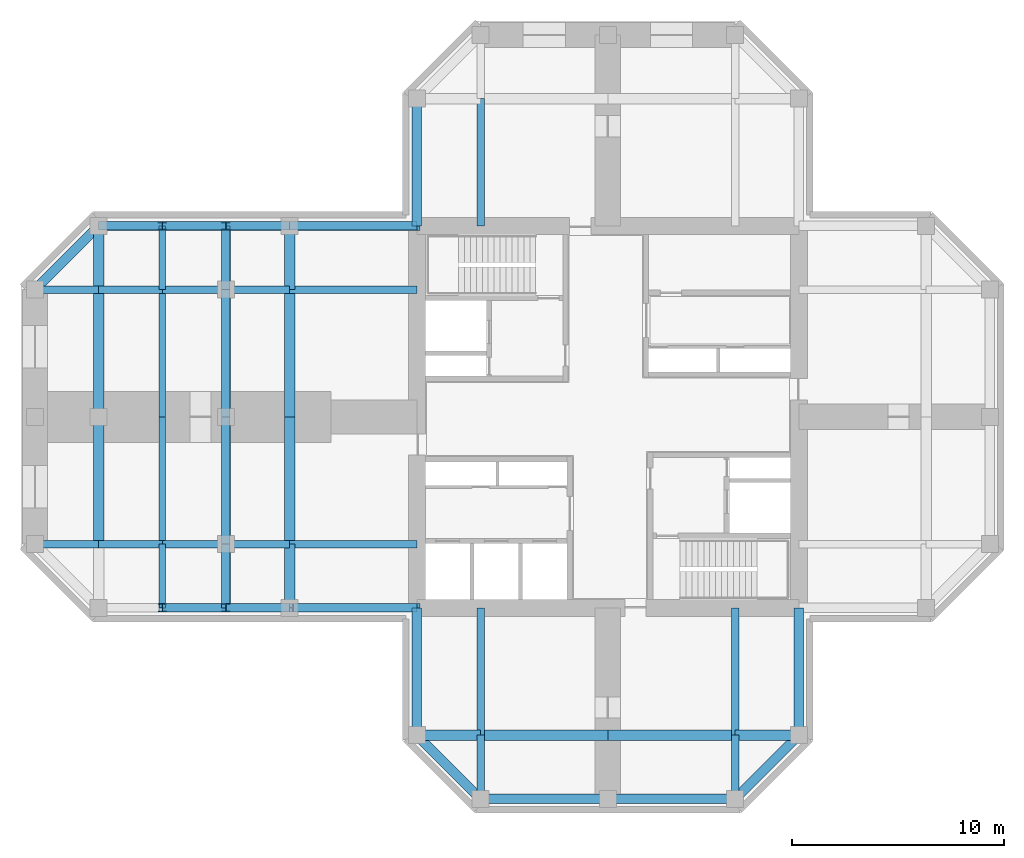
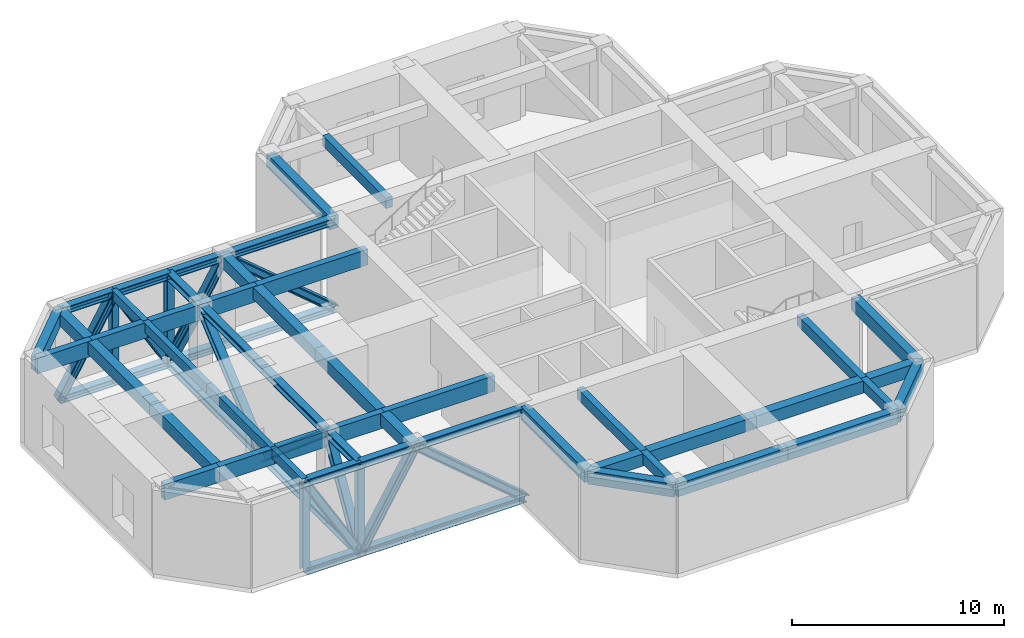
# One storey, part 2 of 6: 38 beams, 37 members.
"""IFC4 building model written with IfcOpenShell, lengths in metres."""

from ifc_helpers import new_model, si_unit, direction, frame, origin, origin_2d, place, context, subcontext, project, spatial, rectangle, i_section, extrude, material, material_profile, profile_set, type_object, element, save


model = new_model("IFC4")

# Units and contexts
model_context = context("Model", 3, precision=1e-05, world=origin(), true_north=direction((0.0, 1.0)))
body_context = subcontext(model_context, "Body", "Model", "MODEL_VIEW")
ifc_project = project(units=[si_unit("LENGTHUNIT", "METRE"), si_unit("AREAUNIT", "SQUARE_METRE"), si_unit("VOLUMEUNIT", "CUBIC_METRE"), si_unit("PLANEANGLEUNIT", "RADIAN"), si_unit("MASSUNIT", "GRAM", prefix="KILO")], contexts=[model_context])

# Site, building, storey
site_placement = place(None, origin())
site = spatial("IfcSite", under=ifc_project, at=site_placement, CompositionType="ELEMENT")
building_placement = place(site_placement, origin())
building = spatial("IfcBuilding", under=site, at=building_placement, Name="Torre Cruceta", CompositionType="ELEMENT")
storey_placement = place(building_placement, frame((0.0, 0.0, 252.699951171875)))
storey = spatial("IfcBuildingStorey", under=building, at=storey_placement, Name="L65", CompositionType="ELEMENT", Elevation=252.699951171875)

# Members
ifc_material_1 = material(Name="Steel A913 Gr65", Category="steel")
ifc_material_profile_1 = material_profile(ifc_material_1, i_section(OverallWidth=0.4013671875, OverallDepth=0.398681640625, WebThickness=0.02490234375, FlangeThickness=0.03955078125, at=origin_2d()), Name="W14X211")
ifc_profile_set_1 = profile_set([ifc_material_profile_1], Name="Steel A913 Gr65")
member_type_1 = type_object("IfcMemberType", Name="BELT TRUSS CHORD 4 W14X211", PredefinedType="CHORD", material=ifc_profile_set_1)
for number, where, z_axis, x_axis, name in (
    (1, (-9.0, 9.0, -0.449462890625), (-1.0, 0.0, 0.0), (0.0, -1.0, 0.0), "Belt truss 4 S-B1"),
    (2, (-9.0, 9.0, 4.62060546875), (-1.0, 0.0, 0.0), (0.0, -1.0, 0.0), "Belt truss 4 S-T1"),
):
    element("IfcMember", number, at=place(storey_placement, frame(where, z_axis=z_axis, x_axis=x_axis)), inside=storey, type_object=member_type_1, Name=name, PredefinedType="CHORD", context=body_context, shape_type="SweptSolid", body=[
        extrude(i_section(OverallWidth=0.4013671875, OverallDepth=0.398681640625, WebThickness=0.02490234375, FlangeThickness=0.03955078125, at=origin_2d()), origin(), (0.0, 0.0, 1.0), 6.0),
    ])
for number, where, z_axis, x_axis, name in (
    (3, (-15.0, 9.0, -0.449462890625), (-1.0, 0.0, 0.0), (0.0, -1.0, 0.0), "Belt truss 4 S-B2"),
    (4, (-15.0, 9.0, 4.62060546875), (-1.0, 0.0, 0.0), (0.0, -1.0, 0.0), "Belt truss 4 S-T2"),
    (5, (-18.0, 9.0, -0.449462890625), (-1.0, 0.0, 0.0), (0.0, -1.0, 0.0), "Belt truss 4 S-B3"),
    (6, (-18.0, 9.0, 4.62060546875), (-1.0, 0.0, 0.0), (0.0, -1.0, 0.0), "Belt truss 4 S-T3"),
    (7, (-21.0, 9.0, -0.449462890625), (-1.0, 0.0, 0.0), (0.0, -1.0, 0.0), "Belt truss 4 S-B4"),
    (8, (-21.0, 9.0, 4.62060546875), (-1.0, 0.0, 0.0), (0.0, -1.0, 0.0), "Belt truss 4 S-T4"),
):
    element("IfcMember", number, at=place(storey_placement, frame(where, z_axis=z_axis, x_axis=x_axis)), inside=storey, type_object=member_type_1, Name=name, PredefinedType="CHORD", context=body_context, shape_type="SweptSolid", body=[
        extrude(i_section(OverallWidth=0.4013671875, OverallDepth=0.398681640625, WebThickness=0.02490234375, FlangeThickness=0.03955078125, at=origin_2d()), origin(), (0.0, 0.0, 1.0), 3.0),
    ])
for number, where, z_axis, x_axis, name in (
    (9, (-9.0, -9.0, -0.449462890625), (-1.0, 0.0, 0.0), (0.0, -1.0, 0.0), "Belt truss 4 S+B1"),
    (10, (-9.0, -9.0, 4.62060546875), (-1.0, 0.0, 0.0), (0.0, -1.0, 0.0), "Belt truss 4 S+T1"),
):
    element("IfcMember", number, at=place(storey_placement, frame(where, z_axis=z_axis, x_axis=x_axis)), inside=storey, type_object=member_type_1, Name=name, PredefinedType="CHORD", context=body_context, shape_type="SweptSolid", body=[
        extrude(i_section(OverallWidth=0.4013671875, OverallDepth=0.398681640625, WebThickness=0.02490234375, FlangeThickness=0.03955078125, at=origin_2d()), origin(), (0.0, 0.0, 1.0), 6.0),
    ])
for number, where, z_axis, x_axis, name in (
    (11, (-15.0, -9.0, -0.449462890625), (-1.0, 0.0, 0.0), (0.0, -1.0, 0.0), "Belt truss 4 S+B2"),
    (12, (-15.0, -9.0, 4.62060546875), (-1.0, 0.0, 0.0), (0.0, -1.0, 0.0), "Belt truss 4 S+T2"),
    (13, (-18.0, -9.0, -0.449462890625), (-1.0, 0.0, 0.0), (0.0, -1.0, 0.0), "Belt truss 4 S+B3"),
    (14, (-18.0, -9.0, 4.62060546875), (-1.0, 0.0, 0.0), (0.0, -1.0, 0.0), "Belt truss 4 S+T3"),
    (15, (-18.0, 9.0, -0.449462890625), (0.0, -1.0, 0.0), (1.0, 0.0, 0.0), "Belt truss 4 XB1"),
    (16, (-18.0, 9.0, 4.62060546875), (0.0, -1.0, 0.0), (1.0, 0.0, 0.0), "Belt truss 4 XT1"),
):
    element("IfcMember", number, at=place(storey_placement, frame(where, z_axis=z_axis, x_axis=x_axis)), inside=storey, type_object=member_type_1, Name=name, PredefinedType="CHORD", context=body_context, shape_type="SweptSolid", body=[
        extrude(i_section(OverallWidth=0.4013671875, OverallDepth=0.398681640625, WebThickness=0.02490234375, FlangeThickness=0.03955078125, at=origin_2d()), origin(), (0.0, 0.0, 1.0), 3.0),
    ])
for number, where, z_axis, x_axis, name in (
    (17, (-18.0, 6.0, -0.449462890625), (0.0, -1.0, 0.0), (1.0, 0.0, 0.0), "Belt truss 4 XB2"),
    (18, (-18.0, 6.0, 4.62060546875), (0.0, -1.0, 0.0), (1.0, 0.0, 0.0), "Belt truss 4 XT2"),
    (19, (-18.0, 0.0, -0.449462890625), (0.0, -1.0, 0.0), (1.0, 0.0, 0.0), "Belt truss 4 XB3"),
    (20, (-18.0, 0.0, 4.62060546875), (0.0, -1.0, 0.0), (1.0, 0.0, 0.0), "Belt truss 4 XT3"),
):
    element("IfcMember", number, at=place(storey_placement, frame(where, z_axis=z_axis, x_axis=x_axis)), inside=storey, type_object=member_type_1, Name=name, PredefinedType="CHORD", context=body_context, shape_type="SweptSolid", body=[
        extrude(i_section(OverallWidth=0.4013671875, OverallDepth=0.398681640625, WebThickness=0.02490234375, FlangeThickness=0.03955078125, at=origin_2d()), origin(), (0.0, 0.0, 1.0), 6.0),
    ])
for number, where, z_axis, x_axis, name in (
    (21, (-18.0, -6.0, -0.449462890625), (0.0, -1.0, 0.0), (1.0, 0.0, 0.0), "Belt truss 4 XB4"),
    (22, (-18.0, -6.0, 4.62060546875), (0.0, -1.0, 0.0), (1.0, 0.0, 0.0), "Belt truss 4 XT4"),
):
    element("IfcMember", number, at=place(storey_placement, frame(where, z_axis=z_axis, x_axis=x_axis)), inside=storey, type_object=member_type_1, Name=name, PredefinedType="CHORD", context=body_context, shape_type="SweptSolid", body=[
        extrude(i_section(OverallWidth=0.4013671875, OverallDepth=0.398681640625, WebThickness=0.02490234375, FlangeThickness=0.03955078125, at=origin_2d()), origin(), (0.0, 0.0, 1.0), 3.0),
    ])
ifc_material_2 = material(Name="Steel A913 Gr65", Category="steel")
ifc_material_profile_2 = material_profile(ifc_material_2, i_section(OverallWidth=0.41162109375, OverallDepth=0.434326171875, WebThickness=0.035888671875, FlangeThickness=0.057373046875, at=origin_2d()), Name="W14X311")
ifc_profile_set_2 = profile_set([ifc_material_profile_2], Name="Steel A913 Gr65")
member_type_2 = type_object("IfcMemberType", Name="BELT TRUSS DIAGONAL 4 W14X311", PredefinedType="BRACE", material=ifc_profile_set_2)
member_1_placement = place(storey_placement, frame((-9.0, 9.0, -0.449462890625), z_axis=(-0.763816410038, 0.0, 0.645433568818), x_axis=(0.0, -1.0, 0.0)))
element("IfcMember", 23, at=member_1_placement, inside=storey, type_object=member_type_2, Name="Belt truss 4 S-D1", PredefinedType="BRACE", context=body_context, shape_type="SweptSolid", body=[
    extrude(i_section(OverallWidth=0.41162109375, OverallDepth=0.434326171875, WebThickness=0.035888671875, FlangeThickness=0.057373046875, at=origin_2d()), origin(), (0.0, 0.0, 1.0), 7.855224609375),
])
for number, where, z_axis, x_axis, name in (
    (24, (-18.0, 9.0, -0.449462890625), (0.50923883856, 0.0, 0.860625240916), (0.0, 1.0, 0.0), "Belt truss 4 S-D2"),
    (25, (-18.0, 9.0, -0.449462890625), (-0.50923883856, 0.0, 0.860625240916), (0.0, -1.0, 0.0), "Belt truss 4 S-D3"),
    (26, (-24.0, 9.0, -0.449462890625), (0.50923883856, 0.0, 0.860625240916), (0.0, 1.0, 0.0), "Belt truss 4 S-D4"),
):
    element("IfcMember", number, at=place(storey_placement, frame(where, z_axis=z_axis, x_axis=x_axis)), inside=storey, type_object=member_type_2, Name=name, PredefinedType="BRACE", context=body_context, shape_type="SweptSolid", body=[
        extrude(i_section(OverallWidth=0.41162109375, OverallDepth=0.434326171875, WebThickness=0.035888671875, FlangeThickness=0.057373046875, at=origin_2d()), origin(), (0.0, 0.0, 1.0), 5.89111328125),
    ])
member_2_placement = place(storey_placement, frame((-9.0, -9.0, -0.449462890625), z_axis=(-0.763816410038, 0.0, 0.645433568818), x_axis=(0.0, -1.0, 0.0)))
element("IfcMember", 27, at=member_2_placement, inside=storey, type_object=member_type_2, Name="Belt truss 4 S+D1", PredefinedType="BRACE", context=body_context, shape_type="SweptSolid", body=[
    extrude(i_section(OverallWidth=0.41162109375, OverallDepth=0.434326171875, WebThickness=0.035888671875, FlangeThickness=0.057373046875, at=origin_2d()), origin(), (0.0, 0.0, 1.0), 7.855224609375),
])
for number, where, z_axis, x_axis, name in (
    (28, (-18.0, -9.0, -0.449462890625), (0.50923883856, 0.0, 0.860625240916), (0.0, 1.0, 0.0), "Belt truss 4 S+D2"),
    (29, (-18.0, -9.0, -0.449462890625), (-0.50923883856, 0.0, 0.860625240916), (0.0, -1.0, 0.0), "Belt truss 4 S+D3"),
    (30, (-18.0, 9.0, -0.449462890625), (0.0, -0.50923883856, 0.860625240916), (1.0, 0.0, 0.0), "Belt truss 4 XD1"),
):
    element("IfcMember", number, at=place(storey_placement, frame(where, z_axis=z_axis, x_axis=x_axis)), inside=storey, type_object=member_type_2, Name=name, PredefinedType="BRACE", context=body_context, shape_type="SweptSolid", body=[
        extrude(i_section(OverallWidth=0.41162109375, OverallDepth=0.434326171875, WebThickness=0.035888671875, FlangeThickness=0.057373046875, at=origin_2d()), origin(), (0.0, 0.0, 1.0), 5.89111328125),
    ])
for number, where, z_axis, x_axis, name in (
    (31, (-18.0, 0.0, -0.449462890625), (0.0, 0.763816410038, 0.645433568818), (-1.0, 0.0, 0.0), "Belt truss 4 XD2"),
    (32, (-18.0, 0.0, -0.449462890625), (0.0, -0.763816410038, 0.645433568818), (1.0, 0.0, 0.0), "Belt truss 4 XD3"),
):
    element("IfcMember", number, at=place(storey_placement, frame(where, z_axis=z_axis, x_axis=x_axis)), inside=storey, type_object=member_type_2, Name=name, PredefinedType="BRACE", context=body_context, shape_type="SweptSolid", body=[
        extrude(i_section(OverallWidth=0.41162109375, OverallDepth=0.434326171875, WebThickness=0.035888671875, FlangeThickness=0.057373046875, at=origin_2d()), origin(), (0.0, 0.0, 1.0), 7.855224609375),
    ])
member_3_placement = place(storey_placement, frame((-18.0, -9.0, -0.449462890625), z_axis=(0.0, 0.50923883856, 0.860625240916), x_axis=(-1.0, 0.0, 0.0)))
element("IfcMember", 33, at=member_3_placement, inside=storey, type_object=member_type_2, Name="Belt truss 4 XD4", PredefinedType="BRACE", context=body_context, shape_type="SweptSolid", body=[
    extrude(i_section(OverallWidth=0.41162109375, OverallDepth=0.434326171875, WebThickness=0.035888671875, FlangeThickness=0.057373046875, at=origin_2d()), origin(), (0.0, 0.0, 1.0), 5.89111328125),
])
ifc_material_3 = material(Name="Steel A913 Gr65", Category="steel")
ifc_material_profile_3 = material_profile(ifc_material_3, i_section(OverallWidth=0.373291015625, OverallDepth=0.368408203125, WebThickness=0.014892578125, FlangeThickness=0.02392578125, at=origin_2d()), Name="W14X120")
ifc_profile_set_3 = profile_set([ifc_material_profile_3], Name="Steel A913 Gr65")
member_type_3 = type_object("IfcMemberType", Name="BELT TRUSS POST 4 W14X120", PredefinedType="POST", material=ifc_profile_set_3)
for number, where, z_axis, x_axis, name in (
    (34, (-18.0, 9.0, -0.449462890625), (0.0, 0.0, 1.0), (1.0, 0.0, 0.0), "Belt truss 4 S-P18"),
    (35, (-21.0, 9.0, -0.449462890625), (0.0, 0.0, 1.0), (1.0, 0.0, 0.0), "Belt truss 4 S-P21"),
    (36, (-18.0, -9.0, -0.449462890625), (0.0, 0.0, 1.0), (1.0, 0.0, 0.0), "Belt truss 4 S+P18"),
    (37, (-21.0, -9.0, -0.449462890625), (0.0, 0.0, 1.0), (1.0, 0.0, 0.0), "Belt truss 4 S+P21"),
):
    element("IfcMember", number, at=place(storey_placement, frame(where, z_axis=z_axis, x_axis=x_axis)), inside=storey, type_object=member_type_3, Name=name, PredefinedType="POST", context=body_context, shape_type="SweptSolid", body=[
        extrude(i_section(OverallWidth=0.373291015625, OverallDepth=0.368408203125, WebThickness=0.014892578125, FlangeThickness=0.02392578125, at=origin_2d()), origin(), (0.0, 0.0, 1.0), 5.070068359375),
    ])

# Beams
ifc_material_4 = material(Name="Concrete G60 (fck 60 MPa)", Category="concrete")
ifc_material_profile_4 = material_profile(ifc_material_4, rectangle(XDim=0.35009765625, YDim=0.60009765625, at=origin_2d()), Name="RC 350X600")
ifc_profile_set_4 = profile_set([ifc_material_profile_4], Name="Concrete G60 (fck 60 MPa)")
beam_type_1 = type_object("IfcBeamType", Name="COLUMN LINE BEAM RC 350X600", PredefinedType="BEAM", material=ifc_profile_set_4)
for number, where, z_axis, x_axis, name in (
    (38, (-6.0, 9.0, 4.52001953125), (0.0, 1.0, 0.0), (-1.0, 0.0, 0.0), "LB9 L65 N col+ 1"),
    (39, (-6.0, -9.0, 4.52001953125), (0.0, -1.0, 0.0), (1.0, 0.0, 0.0), "LB9 L65 S col- 1"),
):
    element("IfcBeam", number, at=place(storey_placement, frame(where, z_axis=z_axis, x_axis=x_axis)), inside=storey, type_object=beam_type_1, Name=name, PredefinedType="BEAM", context=body_context, shape_type="SweptSolid", body=[
        extrude(rectangle(XDim=0.35009765625, YDim=0.60009765625, at=origin_2d()), origin(), (0.0, 0.0, 1.0), 6.0),
    ])
beam_1_placement = place(storey_placement, frame((-6.0, -15.0, 4.52001953125), z_axis=(0.0, -1.0, 0.0), x_axis=(1.0, 0.0, 0.0)))
element("IfcBeam", 40, at=beam_1_placement, inside=storey, type_object=beam_type_1, Name="LB9 L65 S col- 2", PredefinedType="BEAM", context=body_context, shape_type="SweptSolid", body=[
    extrude(rectangle(XDim=0.35009765625, YDim=0.60009765625, at=origin_2d()), origin(), (0.0, 0.0, 1.0), 3.0),
])
beam_2_placement = place(storey_placement, frame((6.0, -9.0, 4.52001953125), z_axis=(0.0, -1.0, 0.0), x_axis=(1.0, 0.0, 0.0)))
element("IfcBeam", 41, at=beam_2_placement, inside=storey, type_object=beam_type_1, Name="LB9 L65 S col+ 1", PredefinedType="BEAM", context=body_context, shape_type="SweptSolid", body=[
    extrude(rectangle(XDim=0.35009765625, YDim=0.60009765625, at=origin_2d()), origin(), (0.0, 0.0, 1.0), 6.0),
])
beam_3_placement = place(storey_placement, frame((6.0, -15.0, 4.52001953125), z_axis=(0.0, -1.0, 0.0), x_axis=(1.0, 0.0, 0.0)))
element("IfcBeam", 42, at=beam_3_placement, inside=storey, type_object=beam_type_1, Name="LB9 L65 S col+ 2", PredefinedType="BEAM", context=body_context, shape_type="SweptSolid", body=[
    extrude(rectangle(XDim=0.35009765625, YDim=0.60009765625, at=origin_2d()), origin(), (0.0, 0.0, 1.0), 3.0),
])
ifc_material_5 = material(Name="Concrete G60 (fck 60 MPa)", Category="concrete")
ifc_material_profile_5 = material_profile(ifc_material_5, rectangle(XDim=0.35009765625, YDim=0.89990234375, at=origin_2d()), Name="RC 350X900")
ifc_profile_set_5 = profile_set([ifc_material_profile_5], Name="Concrete G60 (fck 60 MPa)")
beam_type_2 = type_object("IfcBeamType", Name="COLUMN LINE BEAM RC 350X900", PredefinedType="BEAM", material=ifc_profile_set_5)
beam_4_placement = place(storey_placement, frame((-9.0, 6.0, 4.3701171875), z_axis=(-1.0, 0.0, 0.0), x_axis=(0.0, -1.0, 0.0)))
element("IfcBeam", 43, at=beam_4_placement, inside=storey, type_object=beam_type_2, Name="LB8 L65 W col- 1", PredefinedType="BEAM", context=body_context, shape_type="SweptSolid", body=[
    extrude(rectangle(XDim=0.35009765625, YDim=0.89990234375, at=origin_2d()), origin(), (0.0, 0.0, 1.0), 6.0),
])
for number, where, z_axis, x_axis, name in (
    (44, (-15.0, 6.0, 4.3701171875), (-1.0, 0.0, 0.0), (0.0, -1.0, 0.0), "LB8 L65 W col- 2"),
    (45, (-18.0, 6.0, 4.3701171875), (-1.0, 0.0, 0.0), (0.0, -1.0, 0.0), "LB8 L65 W col- 3"),
    (46, (-21.0, 6.0, 4.3701171875), (-1.0, 0.0, 0.0), (0.0, -1.0, 0.0), "LB8 L65 W col- 4"),
    (47, (-24.0, 6.0, 4.3701171875), (-1.0, 0.0, 0.0), (0.0, -1.0, 0.0), "LB8 L65 W col- 5"),
):
    element("IfcBeam", number, at=place(storey_placement, frame(where, z_axis=z_axis, x_axis=x_axis)), inside=storey, type_object=beam_type_2, Name=name, PredefinedType="BEAM", context=body_context, shape_type="SweptSolid", body=[
        extrude(rectangle(XDim=0.35009765625, YDim=0.89990234375, at=origin_2d()), origin(), (0.0, 0.0, 1.0), 3.0),
    ])
beam_5_placement = place(storey_placement, frame((-9.0, -6.0, 4.3701171875), z_axis=(-1.0, 0.0, 0.0), x_axis=(0.0, -1.0, 0.0)))
element("IfcBeam", 48, at=beam_5_placement, inside=storey, type_object=beam_type_2, Name="LB8 L65 W col+ 1", PredefinedType="BEAM", context=body_context, shape_type="SweptSolid", body=[
    extrude(rectangle(XDim=0.35009765625, YDim=0.89990234375, at=origin_2d()), origin(), (0.0, 0.0, 1.0), 6.0),
])
for number, where, z_axis, x_axis, name in (
    (49, (-15.0, -6.0, 4.3701171875), (-1.0, 0.0, 0.0), (0.0, -1.0, 0.0), "LB8 L65 W col+ 2"),
    (50, (-18.0, -6.0, 4.3701171875), (-1.0, 0.0, 0.0), (0.0, -1.0, 0.0), "LB8 L65 W col+ 3"),
    (51, (-21.0, -6.0, 4.3701171875), (-1.0, 0.0, 0.0), (0.0, -1.0, 0.0), "LB8 L65 W col+ 4"),
    (52, (-24.0, -6.0, 4.3701171875), (-1.0, 0.0, 0.0), (0.0, -1.0, 0.0), "LB8 L65 W col+ 5"),
):
    element("IfcBeam", number, at=place(storey_placement, frame(where, z_axis=z_axis, x_axis=x_axis)), inside=storey, type_object=beam_type_2, Name=name, PredefinedType="BEAM", context=body_context, shape_type="SweptSolid", body=[
        extrude(rectangle(XDim=0.35009765625, YDim=0.89990234375, at=origin_2d()), origin(), (0.0, 0.0, 1.0), 3.0),
    ])
ifc_material_6 = material(Name="Concrete G60 (fck 60 MPa)", Category="concrete")
ifc_material_profile_6 = material_profile(ifc_material_6, rectangle(XDim=0.5, YDim=0.699951171875, at=origin_2d()), Name="RC 500X700")
ifc_profile_set_6 = profile_set([ifc_material_profile_6], Name="Concrete G60 (fck 60 MPa)")
beam_type_3 = type_object("IfcBeamType", Name="CROSS BEAM RC 500X700", PredefinedType="BEAM", material=ifc_profile_set_6)
beam_6_placement = place(storey_placement, frame((-9.0, -15.0, 4.469970703125), z_axis=(1.0, 0.0, 0.0), x_axis=(0.0, 1.0, 0.0)))
element("IfcBeam", 53, at=beam_6_placement, inside=storey, type_object=beam_type_3, Name="GB7 L65 S cross15 1", PredefinedType="BEAM", context=body_context, shape_type="SweptSolid", body=[
    extrude(rectangle(XDim=0.5, YDim=0.699951171875, at=origin_2d()), origin(), (0.0, 0.0, 1.0), 3.0),
])
for number, where, z_axis, x_axis, name in (
    (54, (-6.0, -15.0, 4.469970703125), (1.0, 0.0, 0.0), (0.0, 1.0, 0.0), "GB7 L65 S cross15 2"),
    (55, (0.0, -15.0, 4.469970703125), (1.0, 0.0, 0.0), (0.0, 1.0, 0.0), "GB7 L65 S cross15 3"),
):
    element("IfcBeam", number, at=place(storey_placement, frame(where, z_axis=z_axis, x_axis=x_axis)), inside=storey, type_object=beam_type_3, Name=name, PredefinedType="BEAM", context=body_context, shape_type="SweptSolid", body=[
        extrude(rectangle(XDim=0.5, YDim=0.699951171875, at=origin_2d()), origin(), (0.0, 0.0, 1.0), 6.0),
    ])
for number, where, z_axis, x_axis, name in (
    (56, (6.0, -15.0, 4.469970703125), (1.0, 0.0, 0.0), (0.0, 1.0, 0.0), "GB7 L65 S cross15 4"),
    (57, (-15.0, 9.0, 4.469970703125), (0.0, -1.0, 0.0), (1.0, 0.0, 0.0), "GB7 L65 W cross15 1"),
):
    element("IfcBeam", number, at=place(storey_placement, frame(where, z_axis=z_axis, x_axis=x_axis)), inside=storey, type_object=beam_type_3, Name=name, PredefinedType="BEAM", context=body_context, shape_type="SweptSolid", body=[
        extrude(rectangle(XDim=0.5, YDim=0.699951171875, at=origin_2d()), origin(), (0.0, 0.0, 1.0), 3.0),
    ])
for number, where, z_axis, x_axis, name in (
    (58, (-15.0, 6.0, 4.469970703125), (0.0, -1.0, 0.0), (1.0, 0.0, 0.0), "GB7 L65 W cross15 2"),
    (59, (-15.0, 0.0, 4.469970703125), (0.0, -1.0, 0.0), (1.0, 0.0, 0.0), "GB7 L65 W cross15 3"),
):
    element("IfcBeam", number, at=place(storey_placement, frame(where, z_axis=z_axis, x_axis=x_axis)), inside=storey, type_object=beam_type_3, Name=name, PredefinedType="BEAM", context=body_context, shape_type="SweptSolid", body=[
        extrude(rectangle(XDim=0.5, YDim=0.699951171875, at=origin_2d()), origin(), (0.0, 0.0, 1.0), 6.0),
    ])
for number, where, z_axis, x_axis, name in (
    (60, (-15.0, -6.0, 4.469970703125), (0.0, -1.0, 0.0), (1.0, 0.0, 0.0), "GB7 L65 W cross15 4"),
    (61, (-24.0, 9.0, 4.469970703125), (0.0, -1.0, 0.0), (1.0, 0.0, 0.0), "GB7 L65 W cross24 1"),
):
    element("IfcBeam", number, at=place(storey_placement, frame(where, z_axis=z_axis, x_axis=x_axis)), inside=storey, type_object=beam_type_3, Name=name, PredefinedType="BEAM", context=body_context, shape_type="SweptSolid", body=[
        extrude(rectangle(XDim=0.5, YDim=0.699951171875, at=origin_2d()), origin(), (0.0, 0.0, 1.0), 3.0),
    ])
for number, where, z_axis, x_axis, name in (
    (62, (-24.0, 6.0, 4.469970703125), (0.0, -1.0, 0.0), (1.0, 0.0, 0.0), "GB7 L65 W cross24 2"),
    (63, (-24.0, 0.0, 4.469970703125), (0.0, -1.0, 0.0), (1.0, 0.0, 0.0), "GB7 L65 W cross24 3"),
):
    element("IfcBeam", number, at=place(storey_placement, frame(where, z_axis=z_axis, x_axis=x_axis)), inside=storey, type_object=beam_type_3, Name=name, PredefinedType="BEAM", context=body_context, shape_type="SweptSolid", body=[
        extrude(rectangle(XDim=0.5, YDim=0.699951171875, at=origin_2d()), origin(), (0.0, 0.0, 1.0), 6.0),
    ])
ifc_material_7 = material(Name="Concrete G60 (fck 60 MPa)", Category="concrete")
ifc_material_profile_7 = material_profile(ifc_material_7, rectangle(XDim=0.300048828125, YDim=0.550048828125, at=origin_2d()), Name="RC 300X550")
ifc_profile_set_7 = profile_set([ifc_material_profile_7], Name="Concrete G60 (fck 60 MPa)")
beam_type_4 = type_object("IfcBeamType", Name="SECONDARY BEAM RC 300X550", PredefinedType="JOIST", material=ifc_profile_set_7)
beam_7_placement = place(storey_placement, frame((-21.0, 9.0, 4.545166015625), z_axis=(0.0, -1.0, 0.0), x_axis=(1.0, 0.0, 0.0)))
element("IfcBeam", 64, at=beam_7_placement, inside=storey, type_object=beam_type_4, Name="JB7 L65 W sec21 1", PredefinedType="JOIST", context=body_context, shape_type="SweptSolid", body=[
    extrude(rectangle(XDim=0.300048828125, YDim=0.550048828125, at=origin_2d()), origin(), (0.0, 0.0, 1.0), 3.0),
])
for number, where, z_axis, x_axis, name in (
    (65, (-21.0, 6.0, 4.545166015625), (0.0, -1.0, 0.0), (1.0, 0.0, 0.0), "JB7 L65 W sec21 2"),
    (66, (-21.0, 0.0, 4.545166015625), (0.0, -1.0, 0.0), (1.0, 0.0, 0.0), "JB7 L65 W sec21 3"),
):
    element("IfcBeam", number, at=place(storey_placement, frame(where, z_axis=z_axis, x_axis=x_axis)), inside=storey, type_object=beam_type_4, Name=name, PredefinedType="JOIST", context=body_context, shape_type="SweptSolid", body=[
        extrude(rectangle(XDim=0.300048828125, YDim=0.550048828125, at=origin_2d()), origin(), (0.0, 0.0, 1.0), 6.0),
    ])
beam_8_placement = place(storey_placement, frame((-21.0, -6.0, 4.545166015625), z_axis=(0.0, -1.0, 0.0), x_axis=(1.0, 0.0, 0.0)))
element("IfcBeam", 67, at=beam_8_placement, inside=storey, type_object=beam_type_4, Name="JB7 L65 W sec21 4", PredefinedType="JOIST", context=body_context, shape_type="SweptSolid", body=[
    extrude(rectangle(XDim=0.300048828125, YDim=0.550048828125, at=origin_2d()), origin(), (0.0, 0.0, 1.0), 3.0),
])
ifc_material_8 = material(Name="Concrete G60 (fck 60 MPa)", Category="concrete")
ifc_material_profile_8 = material_profile(ifc_material_8, rectangle(XDim=0.449951171875, YDim=0.75, at=origin_2d()), Name="RC 450X750")
ifc_profile_set_8 = profile_set([ifc_material_profile_8], Name="Concrete G60 (fck 60 MPa)")
beam_type_5 = type_object("IfcBeamType", Name="SPANDREL BEAM RC 450X750", PredefinedType="SPANDREL", material=ifc_profile_set_8)
for number, where, z_axis, x_axis, name in (
    (68, (-9.0, 9.0, 4.445068359375), (0.0, 1.0, 0.0), (-1.0, 0.0, 0.0), "SB7 L65 N side+ 1"),
    (69, (-9.0, -9.0, 4.445068359375), (0.0, -1.0, 0.0), (1.0, 0.0, 0.0), "SB7 L65 S side- 1"),
):
    element("IfcBeam", number, at=place(storey_placement, frame(where, z_axis=z_axis, x_axis=x_axis)), inside=storey, type_object=beam_type_5, Name=name, PredefinedType="SPANDREL", context=body_context, shape_type="SweptSolid", body=[
        extrude(rectangle(XDim=0.449951171875, YDim=0.75, at=origin_2d()), origin(), (0.0, 0.0, 1.0), 6.0),
    ])
beam_9_placement = place(storey_placement, frame((-9.0, -15.0, 4.445068359375), z_axis=(0.707106781187, -0.707106781187, 0.0), x_axis=(0.707106781187, 0.707106781187, 0.0)))
element("IfcBeam", 70, at=beam_9_placement, inside=storey, type_object=beam_type_5, Name="SB7 L65 S side- 2", PredefinedType="SPANDREL", context=body_context, shape_type="SweptSolid", body=[
    extrude(rectangle(XDim=0.449951171875, YDim=0.75, at=origin_2d()), origin(), (0.0, 0.0, 1.0), 4.24267578125),
])
beam_10_placement = place(storey_placement, frame((9.0, -9.0, 4.445068359375), z_axis=(0.0, -1.0, 0.0), x_axis=(1.0, 0.0, 0.0)))
element("IfcBeam", 71, at=beam_10_placement, inside=storey, type_object=beam_type_5, Name="SB7 L65 S side+ 1", PredefinedType="SPANDREL", context=body_context, shape_type="SweptSolid", body=[
    extrude(rectangle(XDim=0.449951171875, YDim=0.75, at=origin_2d()), origin(), (0.0, 0.0, 1.0), 6.0),
])
beam_11_placement = place(storey_placement, frame((9.0, -15.0, 4.445068359375), z_axis=(-0.707106781187, -0.707106781187, 0.0), x_axis=(0.707106781187, -0.707106781187, 0.0)))
element("IfcBeam", 72, at=beam_11_placement, inside=storey, type_object=beam_type_5, Name="SB7 L65 S side+ 2", PredefinedType="SPANDREL", context=body_context, shape_type="SweptSolid", body=[
    extrude(rectangle(XDim=0.449951171875, YDim=0.75, at=origin_2d()), origin(), (0.0, 0.0, 1.0), 4.24267578125),
])
for number, where, z_axis, x_axis, name in (
    (73, (-6.0, -18.0, 4.445068359375), (1.0, 0.0, 0.0), (0.0, 1.0, 0.0), "SB7 L65 S tip 1"),
    (74, (0.0, -18.0, 4.445068359375), (1.0, 0.0, 0.0), (0.0, 1.0, 0.0), "SB7 L65 S tip 2"),
):
    element("IfcBeam", number, at=place(storey_placement, frame(where, z_axis=z_axis, x_axis=x_axis)), inside=storey, type_object=beam_type_5, Name=name, PredefinedType="SPANDREL", context=body_context, shape_type="SweptSolid", body=[
        extrude(rectangle(XDim=0.449951171875, YDim=0.75, at=origin_2d()), origin(), (0.0, 0.0, 1.0), 6.0),
    ])
beam_12_placement = place(storey_placement, frame((-24.0, 9.0, 4.445068359375), z_axis=(-0.707106781187, -0.707106781187, 0.0), x_axis=(0.707106781187, -0.707106781187, 0.0)))
element("IfcBeam", 75, at=beam_12_placement, inside=storey, type_object=beam_type_5, Name="SB7 L65 W side- 5", PredefinedType="SPANDREL", context=body_context, shape_type="SweptSolid", body=[
    extrude(rectangle(XDim=0.449951171875, YDim=0.75, at=origin_2d()), origin(), (0.0, 0.0, 1.0), 4.24267578125),
])

save(model, "model.ifc")
